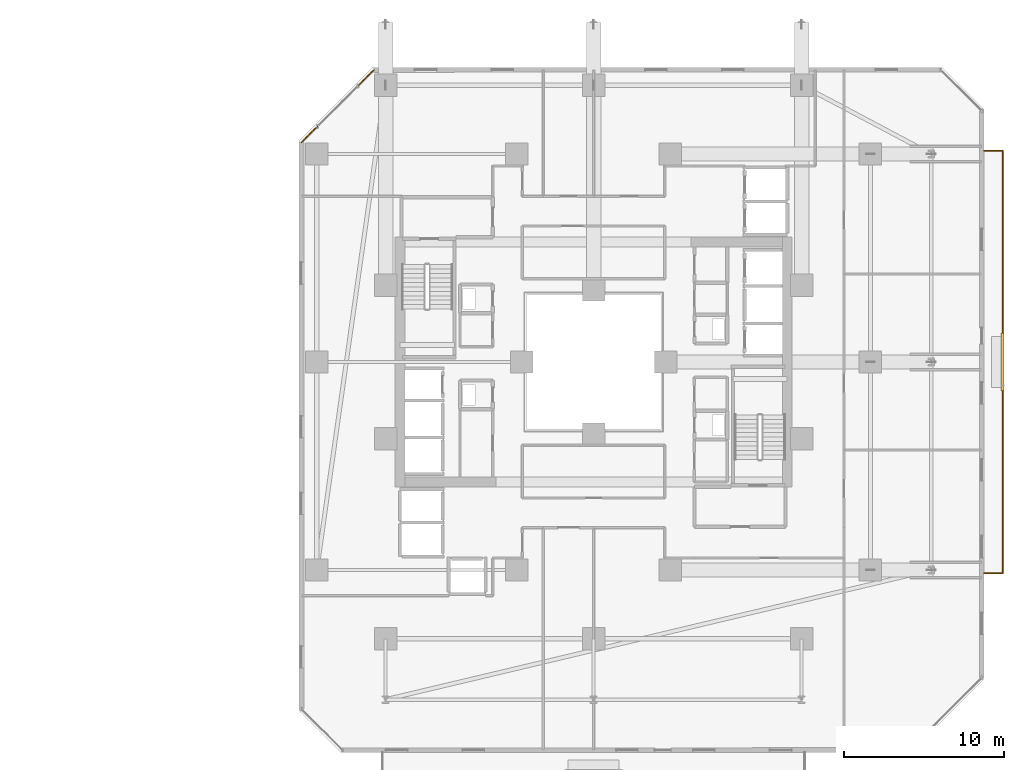
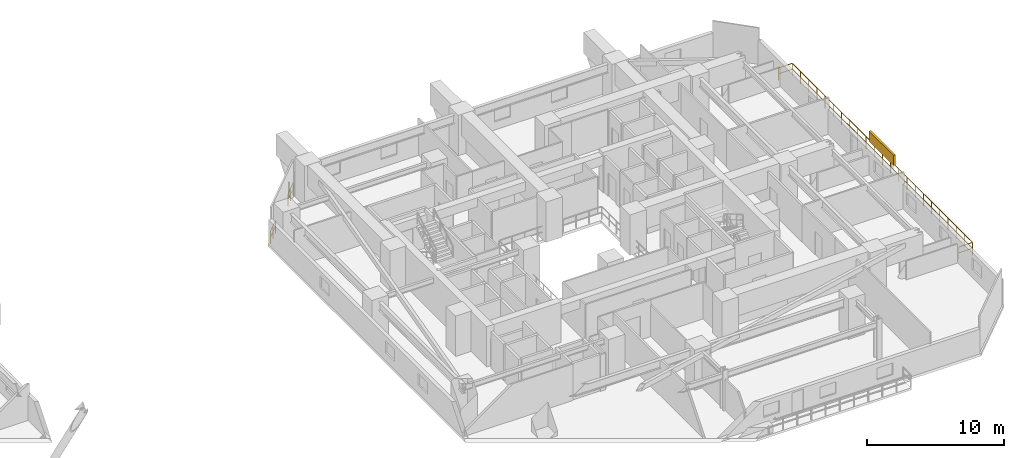
# One storey, part 36 of 36: 3 railings, 1 shading device.
"""IFC4 building model written with IfcOpenShell, lengths in metres."""

from ifc_helpers import new_model, si_unit, direction, frame, origin, origin_2d, place, context, subcontext, project, spatial, rectangle, extrude, material, type_object, element, save


model = new_model("IFC4")

# Units and contexts
model_context = context("Model", 3, precision=1e-05, world=origin(), true_north=direction((0.0, 1.0)))
body_context = subcontext(model_context, "Body", "Model", "MODEL_VIEW")
ifc_project = project(units=[si_unit("LENGTHUNIT", "METRE"), si_unit("AREAUNIT", "SQUARE_METRE"), si_unit("VOLUMEUNIT", "CUBIC_METRE"), si_unit("PLANEANGLEUNIT", "RADIAN"), si_unit("MASSUNIT", "GRAM", prefix="KILO")], contexts=[model_context])

# Site, building, storey
site_placement = place(None, origin())
site = spatial("IfcSite", under=ifc_project, at=site_placement, CompositionType="ELEMENT")
building_placement = place(site_placement, origin())
building = spatial("IfcBuilding", under=site, at=building_placement, Name="Thornwick Lancets Civic Towers", CompositionType="ELEMENT")
storey_placement = place(building_placement, frame((0.0, 0.0, 45.89990234375)))
storey = spatial("IfcBuildingStorey", under=building, at=storey_placement, Name="L11", CompositionType="ELEMENT", Elevation=45.89990234375)

# Railings
ifc_material_1 = material(Name="Terracotta-capped laminated glass balustrade S355", Category="masonry")
railing_type = type_object("IfcRailingType", Name="RAIL_TERR_GUARD", PredefinedType="GUARDRAIL", material=ifc_material_1)
railing_1_placement = place(storey_placement, frame((74.775390625, 45.258544921875, 0.0)))
element("IfcRailing", 1, at=railing_1_placement, inside=storey, type_object=railing_type, Name="L11 Tower B Chamfer Spandrel Guard E5-1", PredefinedType="GUARDRAIL", context=body_context, shape_type="SweptSolid", body=[
    extrude(rectangle(XDim=0.048095703125, YDim=0.048095703125, at=origin_2d()), frame((0.0, 0.0, 1.1259765625), z_axis=(-0.707193018978, -0.707020532876, 0.0), x_axis=(0.707020532876, -0.707193018978, 0.0)), (0.0, 0.0, 1.0), 1.41552734375),
    extrude(rectangle(XDim=0.0419921875, YDim=0.0419921875, at=origin_2d()), frame((-0.026611328125, -0.026611328125, 0.597900390625), z_axis=(-0.707193018978, -0.707020532876, 0.0), x_axis=(0.707020532876, -0.707193018978, 0.0)), (0.0, 0.0, 1.0), 0.6328125),
    extrude(rectangle(XDim=0.0419921875, YDim=0.0419921875, at=origin_2d()), frame((-0.527099609375, -0.52685546875, 0.597900390625), z_axis=(-0.707193018978, -0.707020532876, 0.0), x_axis=(0.707020532876, -0.707193018978, 0.0)), (0.0, 0.0, 1.0), 0.6328125),
    extrude(rectangle(XDim=0.0419921875, YDim=0.0419921875, at=origin_2d()), origin(), (0.0, 0.0, 1.0), 1.095703125),
    extrude(rectangle(XDim=0.0419921875, YDim=0.0419921875, at=origin_2d()), frame((-0.50048828125, -0.50048828125, 0.0)), (0.0, 0.0, 1.0), 1.095703125),
    extrude(rectangle(XDim=0.0419921875, YDim=0.0419921875, at=origin_2d()), frame((-1.0009765625, -1.000732421875, 0.0)), (0.0, 0.0, 1.0), 1.095703125),
])
railing_2_placement = place(storey_placement, frame((71.2421875, 41.7255859375, 0.0)))
element("IfcRailing", 2, at=railing_2_placement, inside=storey, type_object=railing_type, Name="L11 Tower B Chamfer Spandrel Guard E5-2", PredefinedType="GUARDRAIL", context=body_context, shape_type="SweptSolid", body=[
    extrude(rectangle(XDim=0.048095703125, YDim=0.048095703125, at=origin_2d()), frame((0.0, 0.0, 1.1259765625), z_axis=(-0.707020532876, -0.707193018978, 0.0), x_axis=(0.707193018978, -0.707020532876, 0.0)), (0.0, 0.0, 1.0), 1.41552734375),
    extrude(rectangle(XDim=0.0419921875, YDim=0.0419921875, at=origin_2d()), frame((-0.026611328125, -0.026611328125, 0.597900390625), z_axis=(-0.707020532876, -0.707193018978, 0.0), x_axis=(0.707193018978, -0.707020532876, 0.0)), (0.0, 0.0, 1.0), 0.6328125),
    extrude(rectangle(XDim=0.0419921875, YDim=0.0419921875, at=origin_2d()), frame((-0.52685546875, -0.527099609375, 0.597900390625), z_axis=(-0.707020532876, -0.707193018978, 0.0), x_axis=(0.707193018978, -0.707020532876, 0.0)), (0.0, 0.0, 1.0), 0.6328125),
    extrude(rectangle(XDim=0.0419921875, YDim=0.0419921875, at=origin_2d()), origin(), (0.0, 0.0, 1.0), 1.095703125),
    extrude(rectangle(XDim=0.0419921875, YDim=0.0419921875, at=origin_2d()), frame((-0.50048828125, -0.50048828125, 0.0)), (0.0, 0.0, 1.0), 1.095703125),
    extrude(rectangle(XDim=0.0419921875, YDim=0.0419921875, at=origin_2d()), frame((-1.000732421875, -1.0009765625, 0.0)), (0.0, 0.0, 1.0), 1.095703125),
])
railing_3_placement = place(storey_placement, frame((112.89990234375, 13.800048828125, 0.0)))
element("IfcRailing", 3, at=railing_3_placement, inside=storey, type_object=railing_type, Name="L11 Tower B Balcony Guard E", PredefinedType="GUARDRAIL", context=body_context, shape_type="SweptSolid", body=[
    extrude(rectangle(XDim=0.048095703125, YDim=0.048095703125, at=origin_2d()), frame((0.0, 0.0, 1.1259765625), z_axis=(1.0, 0.0, 0.0), x_axis=(0.0, 1.0, 0.0)), (0.0, 0.0, 1.0), 1.138916015625),
    extrude(rectangle(XDim=0.0419921875, YDim=0.0419921875, at=origin_2d()), frame((0.03759765625, 0.0, 0.597900390625), z_axis=(1.0, 0.0, 0.0), x_axis=(0.0, 1.0, 0.0)), (0.0, 0.0, 1.0), 1.09521484375),
    extrude(rectangle(XDim=0.048095703125, YDim=0.048095703125, at=origin_2d()), frame((1.170166015625, 0.03125, 1.1259765625), z_axis=(0.0, 1.0, 0.0), x_axis=(-1.0, 0.0, 0.0)), (0.0, 0.0, 1.0), 26.33740234375),
    extrude(rectangle(XDim=0.0419921875, YDim=0.0419921875, at=origin_2d()), frame((1.170166015625, 0.03759765625, 0.597900390625), z_axis=(0.0, 1.0, 0.0), x_axis=(-1.0, 0.0, 0.0)), (0.0, 0.0, 1.0), 1.125),
    extrude(rectangle(XDim=0.0419921875, YDim=0.0419921875, at=origin_2d()), frame((1.170166015625, 1.237548828125, 0.597900390625), z_axis=(0.0, 1.0, 0.0), x_axis=(-1.0, 0.0, 0.0)), (0.0, 0.0, 1.0), 1.125),
    extrude(rectangle(XDim=0.0419921875, YDim=0.0419921875, at=origin_2d()), frame((1.170166015625, 2.4375, 0.597900390625), z_axis=(0.0, 1.0, 0.0), x_axis=(-1.0, 0.0, 0.0)), (0.0, 0.0, 1.0), 1.125),
    extrude(rectangle(XDim=0.0419921875, YDim=0.0419921875, at=origin_2d()), frame((1.170166015625, 3.637451171875, 0.597900390625), z_axis=(0.0, 1.0, 0.0), x_axis=(-1.0, 0.0, 0.0)), (0.0, 0.0, 1.0), 1.125),
    extrude(rectangle(XDim=0.0419921875, YDim=0.0419921875, at=origin_2d()), frame((1.170166015625, 4.83740234375, 0.597900390625), z_axis=(0.0, 1.0, 0.0), x_axis=(-1.0, 0.0, 0.0)), (0.0, 0.0, 1.0), 1.125),
    extrude(rectangle(XDim=0.0419921875, YDim=0.0419921875, at=origin_2d()), frame((1.170166015625, 6.037353515625, 0.597900390625), z_axis=(0.0, 1.0, 0.0), x_axis=(-1.0, 0.0, 0.0)), (0.0, 0.0, 1.0), 1.125),
    extrude(rectangle(XDim=0.0419921875, YDim=0.0419921875, at=origin_2d()), frame((1.170166015625, 7.237548828125, 0.597900390625), z_axis=(0.0, 1.0, 0.0), x_axis=(-1.0, 0.0, 0.0)), (0.0, 0.0, 1.0), 1.125),
    extrude(rectangle(XDim=0.0419921875, YDim=0.0419921875, at=origin_2d()), frame((1.170166015625, 8.4375, 0.597900390625), z_axis=(0.0, 1.0, 0.0), x_axis=(-1.0, 0.0, 0.0)), (0.0, 0.0, 1.0), 1.125),
    extrude(rectangle(XDim=0.0419921875, YDim=0.0419921875, at=origin_2d()), frame((1.170166015625, 9.637451171875, 0.597900390625), z_axis=(0.0, 1.0, 0.0), x_axis=(-1.0, 0.0, 0.0)), (0.0, 0.0, 1.0), 1.125),
    extrude(rectangle(XDim=0.0419921875, YDim=0.0419921875, at=origin_2d()), frame((1.170166015625, 10.83740234375, 0.597900390625), z_axis=(0.0, 1.0, 0.0), x_axis=(-1.0, 0.0, 0.0)), (0.0, 0.0, 1.0), 1.125),
    extrude(rectangle(XDim=0.0419921875, YDim=0.0419921875, at=origin_2d()), frame((1.170166015625, 12.037353515625, 0.597900390625), z_axis=(0.0, 1.0, 0.0), x_axis=(-1.0, 0.0, 0.0)), (0.0, 0.0, 1.0), 1.125),
    extrude(rectangle(XDim=0.0419921875, YDim=0.0419921875, at=origin_2d()), frame((1.170166015625, 13.237548828125, 0.597900390625), z_axis=(0.0, 1.0, 0.0), x_axis=(-1.0, 0.0, 0.0)), (0.0, 0.0, 1.0), 1.125),
    extrude(rectangle(XDim=0.0419921875, YDim=0.0419921875, at=origin_2d()), frame((1.170166015625, 14.4375, 0.597900390625), z_axis=(0.0, 1.0, 0.0), x_axis=(-1.0, 0.0, 0.0)), (0.0, 0.0, 1.0), 1.125),
    extrude(rectangle(XDim=0.0419921875, YDim=0.0419921875, at=origin_2d()), frame((1.170166015625, 15.637451171875, 0.597900390625), z_axis=(0.0, 1.0, 0.0), x_axis=(-1.0, 0.0, 0.0)), (0.0, 0.0, 1.0), 1.125),
    extrude(rectangle(XDim=0.0419921875, YDim=0.0419921875, at=origin_2d()), frame((1.170166015625, 16.83740234375, 0.597900390625), z_axis=(0.0, 1.0, 0.0), x_axis=(-1.0, 0.0, 0.0)), (0.0, 0.0, 1.0), 1.125),
    extrude(rectangle(XDim=0.0419921875, YDim=0.0419921875, at=origin_2d()), frame((1.170166015625, 18.037353515625, 0.597900390625), z_axis=(0.0, 1.0, 0.0), x_axis=(-1.0, 0.0, 0.0)), (0.0, 0.0, 1.0), 1.125),
    extrude(rectangle(XDim=0.0419921875, YDim=0.0419921875, at=origin_2d()), frame((1.170166015625, 19.2373046875, 0.597900390625), z_axis=(0.0, 1.0, 0.0), x_axis=(-1.0, 0.0, 0.0)), (0.0, 0.0, 1.0), 1.125),
    extrude(rectangle(XDim=0.0419921875, YDim=0.0419921875, at=origin_2d()), frame((1.170166015625, 20.4375, 0.597900390625), z_axis=(0.0, 1.0, 0.0), x_axis=(-1.0, 0.0, 0.0)), (0.0, 0.0, 1.0), 1.125),
    extrude(rectangle(XDim=0.0419921875, YDim=0.0419921875, at=origin_2d()), frame((1.170166015625, 21.637451171875, 0.597900390625), z_axis=(0.0, 1.0, 0.0), x_axis=(-1.0, 0.0, 0.0)), (0.0, 0.0, 1.0), 1.125),
    extrude(rectangle(XDim=0.0419921875, YDim=0.0419921875, at=origin_2d()), frame((1.170166015625, 22.83740234375, 0.597900390625), z_axis=(0.0, 1.0, 0.0), x_axis=(-1.0, 0.0, 0.0)), (0.0, 0.0, 1.0), 1.125),
    extrude(rectangle(XDim=0.0419921875, YDim=0.0419921875, at=origin_2d()), frame((1.170166015625, 24.037353515625, 0.597900390625), z_axis=(0.0, 1.0, 0.0), x_axis=(-1.0, 0.0, 0.0)), (0.0, 0.0, 1.0), 1.125),
    extrude(rectangle(XDim=0.0419921875, YDim=0.0419921875, at=origin_2d()), frame((1.170166015625, 25.2373046875, 0.597900390625), z_axis=(0.0, 1.0, 0.0), x_axis=(-1.0, 0.0, 0.0)), (0.0, 0.0, 1.0), 1.125),
    extrude(rectangle(XDim=0.048095703125, YDim=0.048095703125, at=origin_2d()), frame((1.138916015625, 26.39990234375, 1.1259765625), z_axis=(-1.0, 0.0, 0.0), x_axis=(0.0, -1.0, 0.0)), (0.0, 0.0, 1.0), 1.138916015625),
    extrude(rectangle(XDim=0.0419921875, YDim=0.0419921875, at=origin_2d()), frame((1.132568359375, 26.39990234375, 0.597900390625), z_axis=(-1.0, 0.0, 0.0), x_axis=(0.0, -1.0, 0.0)), (0.0, 0.0, 1.0), 1.09521484375),
    extrude(rectangle(XDim=0.0419921875, YDim=0.0419921875, at=origin_2d()), origin(), (0.0, 0.0, 1.0), 1.095703125),
    extrude(rectangle(XDim=0.0419921875, YDim=0.0419921875, at=origin_2d()), frame((1.170166015625, 0.0, 0.0)), (0.0, 0.0, 1.0), 1.095703125),
    extrude(rectangle(XDim=0.0419921875, YDim=0.0419921875, at=origin_2d()), frame((1.170166015625, 1.199951171875, 0.0)), (0.0, 0.0, 1.0), 1.095703125),
    extrude(rectangle(XDim=0.0419921875, YDim=0.0419921875, at=origin_2d()), frame((1.170166015625, 2.39990234375, 0.0)), (0.0, 0.0, 1.0), 1.095703125),
    extrude(rectangle(XDim=0.0419921875, YDim=0.0419921875, at=origin_2d()), frame((1.170166015625, 3.60009765625, 0.0)), (0.0, 0.0, 1.0), 1.095703125),
    extrude(rectangle(XDim=0.0419921875, YDim=0.0419921875, at=origin_2d()), frame((1.170166015625, 4.800048828125, 0.0)), (0.0, 0.0, 1.0), 1.095703125),
    extrude(rectangle(XDim=0.0419921875, YDim=0.0419921875, at=origin_2d()), frame((1.170166015625, 6.0, 0.0)), (0.0, 0.0, 1.0), 1.095703125),
    extrude(rectangle(XDim=0.0419921875, YDim=0.0419921875, at=origin_2d()), frame((1.170166015625, 7.199951171875, 0.0)), (0.0, 0.0, 1.0), 1.095703125),
    extrude(rectangle(XDim=0.0419921875, YDim=0.0419921875, at=origin_2d()), frame((1.170166015625, 8.39990234375, 0.0)), (0.0, 0.0, 1.0), 1.095703125),
    extrude(rectangle(XDim=0.0419921875, YDim=0.0419921875, at=origin_2d()), frame((1.170166015625, 9.599853515625, 0.0)), (0.0, 0.0, 1.0), 1.095703125),
    extrude(rectangle(XDim=0.0419921875, YDim=0.0419921875, at=origin_2d()), frame((1.170166015625, 10.800048828125, 0.0)), (0.0, 0.0, 1.0), 1.095703125),
    extrude(rectangle(XDim=0.0419921875, YDim=0.0419921875, at=origin_2d()), frame((1.170166015625, 12.0, 0.0)), (0.0, 0.0, 1.0), 1.095703125),
    extrude(rectangle(XDim=0.0419921875, YDim=0.0419921875, at=origin_2d()), frame((1.170166015625, 13.199951171875, 0.0)), (0.0, 0.0, 1.0), 1.095703125),
    extrude(rectangle(XDim=0.0419921875, YDim=0.0419921875, at=origin_2d()), frame((1.170166015625, 14.39990234375, 0.0)), (0.0, 0.0, 1.0), 1.095703125),
    extrude(rectangle(XDim=0.0419921875, YDim=0.0419921875, at=origin_2d()), frame((1.170166015625, 15.599853515625, 0.0)), (0.0, 0.0, 1.0), 1.095703125),
    extrude(rectangle(XDim=0.0419921875, YDim=0.0419921875, at=origin_2d()), frame((1.170166015625, 16.800048828125, 0.0)), (0.0, 0.0, 1.0), 1.095703125),
    extrude(rectangle(XDim=0.0419921875, YDim=0.0419921875, at=origin_2d()), frame((1.170166015625, 18.0, 0.0)), (0.0, 0.0, 1.0), 1.095703125),
    extrude(rectangle(XDim=0.0419921875, YDim=0.0419921875, at=origin_2d()), frame((1.170166015625, 19.199951171875, 0.0)), (0.0, 0.0, 1.0), 1.095703125),
    extrude(rectangle(XDim=0.0419921875, YDim=0.0419921875, at=origin_2d()), frame((1.170166015625, 20.39990234375, 0.0)), (0.0, 0.0, 1.0), 1.095703125),
    extrude(rectangle(XDim=0.0419921875, YDim=0.0419921875, at=origin_2d()), frame((1.170166015625, 21.599853515625, 0.0)), (0.0, 0.0, 1.0), 1.095703125),
    extrude(rectangle(XDim=0.0419921875, YDim=0.0419921875, at=origin_2d()), frame((1.170166015625, 22.7998046875, 0.0)), (0.0, 0.0, 1.0), 1.095703125),
    extrude(rectangle(XDim=0.0419921875, YDim=0.0419921875, at=origin_2d()), frame((1.170166015625, 24.0, 0.0)), (0.0, 0.0, 1.0), 1.095703125),
    extrude(rectangle(XDim=0.0419921875, YDim=0.0419921875, at=origin_2d()), frame((1.170166015625, 25.199951171875, 0.0)), (0.0, 0.0, 1.0), 1.095703125),
    extrude(rectangle(XDim=0.0419921875, YDim=0.0419921875, at=origin_2d()), frame((1.170166015625, 26.39990234375, 0.0)), (0.0, 0.0, 1.0), 1.095703125),
    extrude(rectangle(XDim=0.0419921875, YDim=0.0419921875, at=origin_2d()), frame((0.0, 26.39990234375, 0.0)), (0.0, 0.0, 1.0), 1.095703125),
])

# Shading device
ifc_material_2 = material(Name="Extruded terracotta baguette solar screen", Category="masonry")
shading_device_type = type_object("IfcShadingDeviceType", Name="SHADE_BAGUETTE", PredefinedType="JALOUSIE", material=ifc_material_2)
shading_device_placement = place(storey_placement, frame((114.06005859375, 27.0, 1.1201171875), z_axis=(0.0, 0.0, 1.0), x_axis=(0.0, 1.0, 0.0)))
element("IfcShadingDevice", 4, at=shading_device_placement, inside=storey, type_object=shading_device_type, Name="L11 Tower B Terracotta Baguette Screen E", PredefinedType="JALOUSIE", context=body_context, shape_type="SweptSolid", body=[
    extrude(rectangle(XDim=3.60009765625, YDim=0.179931640625, at=origin_2d()), origin(), (0.0, 0.0, 1.0), 0.89990234375),
])

save(model, "model.ifc")
